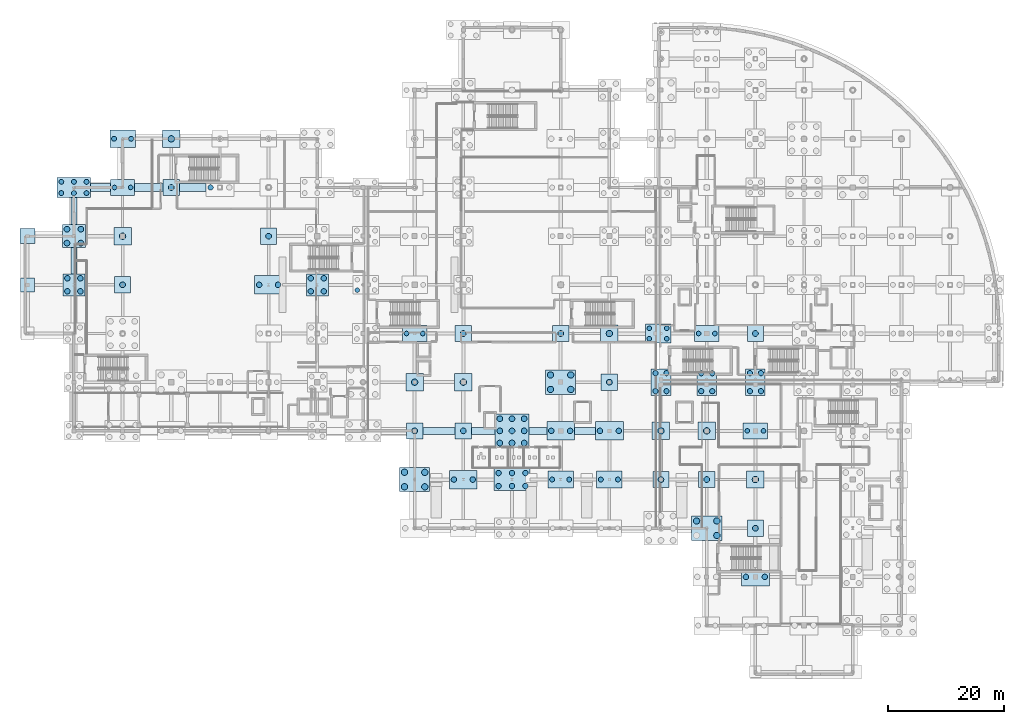
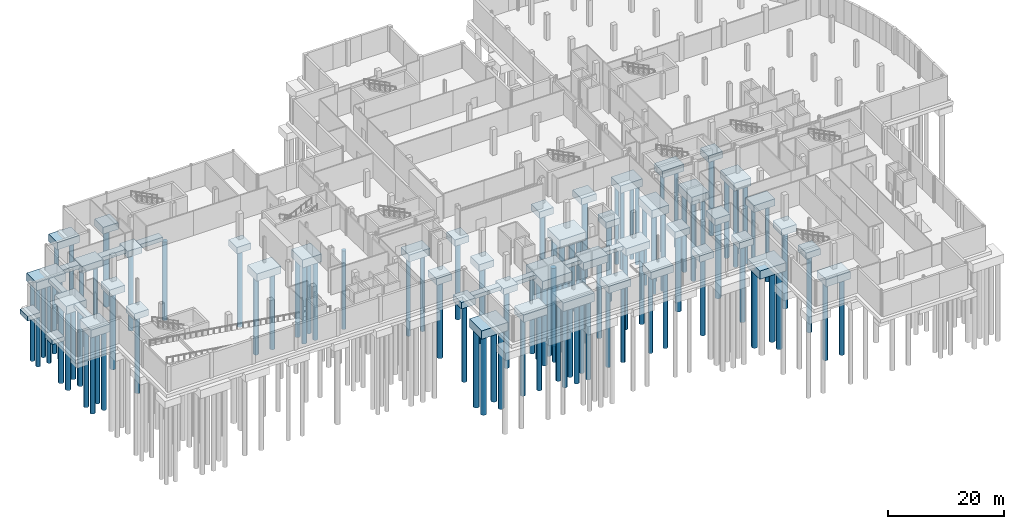
# One storey, part 2 of 49: 106 piles, 56 footings.
"""IFC4 building model written with IfcOpenShell, lengths in metres."""

from ifc_helpers import new_model, si_unit, direction, frame, origin, origin_2d, place, context, subcontext, project, spatial, rectangle, circle, extrude, material, material_profile, profile_set, type_object, element, save


model = new_model("IFC4")

# Units and contexts
model_context = context("Model", 3, precision=1e-05, world=origin(), true_north=direction((0.0, 1.0)))
body_context = subcontext(model_context, "Body", "Model", "MODEL_VIEW")
ifc_project = project(units=[si_unit("LENGTHUNIT", "METRE"), si_unit("AREAUNIT", "SQUARE_METRE"), si_unit("VOLUMEUNIT", "CUBIC_METRE"), si_unit("PLANEANGLEUNIT", "RADIAN"), si_unit("MASSUNIT", "GRAM", prefix="KILO"), si_unit("THERMODYNAMICTEMPERATUREUNIT", "KELVIN")], contexts=[model_context])

# Site, building, storey
site_placement = place(None, origin())
site = spatial("IfcSite", under=ifc_project, at=site_placement, CompositionType="ELEMENT")
building_placement = place(site_placement, origin())
building = spatial("IfcBuilding", under=site, at=building_placement, Name="Lustrewick Department Store", CompositionType="ELEMENT")
storey_placement = place(building_placement, frame((0.0, 0.0, -5.39990234375)))
storey = spatial("IfcBuildingStorey", under=building, at=storey_placement, Name="B1", CompositionType="ELEMENT", Elevation=-5.39990234375)

# Piles
ifc_material = material(Name="Concrete C40", Category="concrete")
ifc_material_profile_1 = material_profile(ifc_material, circle(Radius=0.39990234375, at=origin_2d()), Name="PILE D800")
ifc_profile_set_1 = profile_set([ifc_material_profile_1], Name="Concrete C40")
pile_type_1 = type_object("IfcPileType", Name="P01", PredefinedType="BORED", material=ifc_profile_set_1)
for number, where, z_axis, x_axis, name in (
    (1, (15.39990234375, 84.0, -2.050048828125), (0.0, 0.0, -1.0), (1.0, 0.0, 0.0), "Bored Pile P01 0050"),
    (2, (18.199951171875, 84.0, -2.050048828125), (0.0, 0.0, -1.0), (1.0, 0.0, 0.0), "Bored Pile P01 0051"),
    (3, (57.300048828125, 66.300048828125, -2.2001953125), (0.0, 0.0, -1.0), (1.0, 0.0, 0.0), "Bored Pile P01 0130"),
    (4, (65.800048828125, 58.800048828125, -2.050048828125), (0.0, 0.0, -1.0), (1.0, 0.0, 0.0), "Bored Pile P01 0150"),
    (5, (68.60009765625, 58.800048828125, -2.050048828125), (0.0, 0.0, -1.0), (1.0, 0.0, 0.0), "Bored Pile P01 0151"),
    (6, (107.699951171875, 57.89990234375, -2.2001953125), (0.0, 0.0, -1.0), (1.0, 0.0, 0.0), "Bored Pile P01 0261"),
    (7, (107.699951171875, 59.699951171875, -2.2001953125), (0.0, 0.0, -1.0), (1.0, 0.0, 0.0), "Bored Pile P01 0262"),
    (8, (110.699951171875, 57.89990234375, -2.2001953125), (0.0, 0.0, -1.0), (1.0, 0.0, 0.0), "Bored Pile P01 0263"),
    (9, (110.699951171875, 59.699951171875, -2.2001953125), (0.0, 0.0, -1.0), (1.0, 0.0, 0.0), "Bored Pile P01 0264"),
    (10, (124.60009765625, 42.0, -2.050048828125), (0.0, 0.0, -1.0), (1.0, 0.0, 0.0), "Bored Pile P01 0312"),
    (11, (127.39990234375, 42.0, -2.050048828125), (0.0, 0.0, -1.0), (1.0, 0.0, 0.0), "Bored Pile P01 0313"),
    (12, (116.199951171875, 58.800048828125, -2.050048828125), (0.0, 0.0, -1.0), (1.0, 0.0, 0.0), "Bored Pile P01 0384"),
    (13, (119.0, 58.800048828125, -2.050048828125), (0.0, 0.0, -1.0), (1.0, 0.0, 0.0), "Bored Pile P01 0385"),
):
    element("IfcPile", number, at=place(storey_placement, frame(where, z_axis=z_axis, x_axis=x_axis)), inside=storey, type_object=pile_type_1, Name=name, PredefinedType="BORED", context=body_context, shape_type="SweptSolid", body=[
        extrude(circle(Radius=0.39990234375, at=origin_2d()), origin(), (0.0, 0.0, 1.0), 16.5),
    ])
ifc_material_profile_2 = material_profile(ifc_material, circle(Radius=0.425048828125, at=origin_2d()), Name="PILE D850")
ifc_profile_set_2 = profile_set([ifc_material_profile_2], Name="Concrete C40")
pile_type_2 = type_object("IfcPileType", Name="P02", PredefinedType="BORED", material=ifc_profile_set_2)
for number, where, z_axis, x_axis, name in (
    (14, (6.22509765625, 83.02490234375, -2.300048828125), (0.0, 0.0, -1.0), (1.0, 0.0, 0.0), "Bored Pile P02 0021"),
    (15, (6.22509765625, 84.97509765625, -2.300048828125), (0.0, 0.0, -1.0), (1.0, 0.0, 0.0), "Bored Pile P02 0022"),
    (16, (8.39990234375, 83.02490234375, -2.300048828125), (0.0, 0.0, -1.0), (1.0, 0.0, 0.0), "Bored Pile P02 0023"),
    (17, (8.39990234375, 84.97509765625, -2.300048828125), (0.0, 0.0, -1.0), (1.0, 0.0, 0.0), "Bored Pile P02 0024"),
    (18, (10.574951171875, 83.02490234375, -2.300048828125), (0.0, 0.0, -1.0), (1.0, 0.0, 0.0), "Bored Pile P02 0025"),
    (19, (10.574951171875, 84.97509765625, -2.300048828125), (0.0, 0.0, -1.0), (1.0, 0.0, 0.0), "Bored Pile P02 0026"),
    (20, (15.324951171875, 92.39990234375, -2.10009765625), (0.0, 0.0, -1.0), (1.0, 0.0, 0.0), "Bored Pile P02 0052"),
    (21, (18.27490234375, 92.39990234375, -2.10009765625), (0.0, 0.0, -1.0), (1.0, 0.0, 0.0), "Bored Pile P02 0053"),
    (22, (90.925048828125, 33.60009765625, -2.10009765625), (0.0, 0.0, -1.0), (1.0, 0.0, 0.0), "Bored Pile P02 0218"),
    (23, (93.875, 33.60009765625, -2.10009765625), (0.0, 0.0, -1.0), (1.0, 0.0, 0.0), "Bored Pile P02 0219"),
    (24, (99.324951171875, 33.60009765625, -2.10009765625), (0.0, 0.0, -1.0), (1.0, 0.0, 0.0), "Bored Pile P02 0238"),
    (25, (102.27490234375, 33.60009765625, -2.10009765625), (0.0, 0.0, -1.0), (1.0, 0.0, 0.0), "Bored Pile P02 0239"),
):
    element("IfcPile", number, at=place(storey_placement, frame(where, z_axis=z_axis, x_axis=x_axis)), inside=storey, type_object=pile_type_2, Name=name, PredefinedType="BORED", context=body_context, shape_type="SweptSolid", body=[
        extrude(circle(Radius=0.425048828125, at=origin_2d()), origin(), (0.0, 0.0, 1.0), 16.5),
    ])
ifc_material_profile_3 = material_profile(ifc_material, circle(Radius=0.449951171875, at=origin_2d()), Name="PILE D900")
ifc_profile_set_3 = profile_set([ifc_material_profile_3], Name="Concrete C40")
pile_type_3 = type_object("IfcPileType", Name="P03", PredefinedType="BORED", material=ifc_profile_set_3)
for number, where, z_axis, x_axis, name in (
    (26, (108.75, 48.85009765625, -2.25), (0.0, 0.0, -1.0), (1.0, 0.0, 0.0), "Bored Pile P03 0288"),
    (27, (108.75, 51.949951171875, -2.25), (0.0, 0.0, -1.0), (1.0, 0.0, 0.0), "Bored Pile P03 0289"),
    (28, (110.64990234375, 48.85009765625, -2.25), (0.0, 0.0, -1.0), (1.0, 0.0, 0.0), "Bored Pile P03 0290"),
    (29, (110.64990234375, 51.949951171875, -2.25), (0.0, 0.0, -1.0), (1.0, 0.0, 0.0), "Bored Pile P03 0291"),
    (30, (116.64990234375, 48.85009765625, -2.25), (0.0, 0.0, -1.0), (1.0, 0.0, 0.0), "Bored Pile P03 0302"),
    (31, (116.64990234375, 51.949951171875, -2.25), (0.0, 0.0, -1.0), (1.0, 0.0, 0.0), "Bored Pile P03 0303"),
    (32, (118.550048828125, 48.85009765625, -2.25), (0.0, 0.0, -1.0), (1.0, 0.0, 0.0), "Bored Pile P03 0304"),
    (33, (118.550048828125, 51.949951171875, -2.25), (0.0, 0.0, -1.0), (1.0, 0.0, 0.0), "Bored Pile P03 0305"),
    (34, (125.050048828125, 48.85009765625, -2.25), (0.0, 0.0, -1.0), (1.0, 0.0, 0.0), "Bored Pile P03 0314"),
    (35, (125.050048828125, 51.949951171875, -2.25), (0.0, 0.0, -1.0), (1.0, 0.0, 0.0), "Bored Pile P03 0315"),
    (36, (126.949951171875, 48.85009765625, -2.25), (0.0, 0.0, -1.0), (1.0, 0.0, 0.0), "Bored Pile P03 0316"),
    (37, (126.949951171875, 51.949951171875, -2.25), (0.0, 0.0, -1.0), (1.0, 0.0, 0.0), "Bored Pile P03 0317"),
):
    element("IfcPile", number, at=place(storey_placement, frame(where, z_axis=z_axis, x_axis=x_axis)), inside=storey, type_object=pile_type_3, Name=name, PredefinedType="BORED", context=body_context, shape_type="SweptSolid", body=[
        extrude(circle(Radius=0.449951171875, at=origin_2d()), origin(), (0.0, 0.0, 1.0), 16.5),
    ])
ifc_material_profile_4 = material_profile(ifc_material, circle(Radius=0.47509765625, at=origin_2d()), Name="PILE D950")
ifc_profile_set_4 = profile_set([ifc_material_profile_4], Name="Concrete C40")
pile_type_4 = type_object("IfcPileType", Name="P04", PredefinedType="BORED", material=ifc_profile_set_4)
for number, where, z_axis, x_axis, name in (
    (38, (7.27490234375, 66.074951171875, -2.25), (0.0, 0.0, -1.0), (1.0, 0.0, 0.0), "Bored Pile P04 0013"),
    (39, (7.27490234375, 68.324951171875, -2.25), (0.0, 0.0, -1.0), (1.0, 0.0, 0.0), "Bored Pile P04 0014"),
    (40, (9.52490234375, 66.074951171875, -2.25), (0.0, 0.0, -1.0), (1.0, 0.0, 0.0), "Bored Pile P04 0015"),
    (41, (9.52490234375, 68.324951171875, -2.25), (0.0, 0.0, -1.0), (1.0, 0.0, 0.0), "Bored Pile P04 0016"),
    (42, (31.97509765625, 84.0, -2.150146484375), (0.0, 0.0, -1.0), (1.0, 0.0, 0.0), "Bored Pile P04 0066"),
    (43, (40.375, 67.199951171875, -2.150146484375), (0.0, 0.0, -1.0), (1.0, 0.0, 0.0), "Bored Pile P04 0074"),
    (44, (43.625, 67.199951171875, -2.150146484375), (0.0, 0.0, -1.0), (1.0, 0.0, 0.0), "Bored Pile P04 0075"),
    (45, (49.27490234375, 66.074951171875, -2.25), (0.0, 0.0, -1.0), (1.0, 0.0, 0.0), "Bored Pile P04 0091"),
    (46, (49.27490234375, 68.324951171875, -2.25), (0.0, 0.0, -1.0), (1.0, 0.0, 0.0), "Bored Pile P04 0092"),
    (47, (51.52490234375, 66.074951171875, -2.25), (0.0, 0.0, -1.0), (1.0, 0.0, 0.0), "Bored Pile P04 0093"),
    (48, (51.52490234375, 68.324951171875, -2.25), (0.0, 0.0, -1.0), (1.0, 0.0, 0.0), "Bored Pile P04 0094"),
    (49, (73.97509765625, 33.60009765625, -2.150146484375), (0.0, 0.0, -1.0), (1.0, 0.0, 0.0), "Bored Pile P04 0162"),
    (50, (77.22509765625, 33.60009765625, -2.150146484375), (0.0, 0.0, -1.0), (1.0, 0.0, 0.0), "Bored Pile P04 0163"),
    (51, (81.675048828125, 32.47509765625, -2.400146484375), (0.0, 0.0, -1.0), (1.0, 0.0, 0.0), "Bored Pile P04 0199"),
    (52, (81.675048828125, 34.72509765625, -2.400146484375), (0.0, 0.0, -1.0), (1.0, 0.0, 0.0), "Bored Pile P04 0200"),
    (53, (84.0, 32.47509765625, -2.400146484375), (0.0, 0.0, -1.0), (1.0, 0.0, 0.0), "Bored Pile P04 0201"),
    (54, (84.0, 34.72509765625, -2.400146484375), (0.0, 0.0, -1.0), (1.0, 0.0, 0.0), "Bored Pile P04 0202"),
    (55, (86.324951171875, 32.47509765625, -2.400146484375), (0.0, 0.0, -1.0), (1.0, 0.0, 0.0), "Bored Pile P04 0203"),
    (56, (86.324951171875, 34.72509765625, -2.400146484375), (0.0, 0.0, -1.0), (1.0, 0.0, 0.0), "Bored Pile P04 0204"),
    (57, (90.77490234375, 42.0, -2.150146484375), (0.0, 0.0, -1.0), (1.0, 0.0, 0.0), "Bored Pile P04 0220"),
    (58, (94.02490234375, 42.0, -2.150146484375), (0.0, 0.0, -1.0), (1.0, 0.0, 0.0), "Bored Pile P04 0221"),
    (59, (99.175048828125, 42.0, -2.150146484375), (0.0, 0.0, -1.0), (1.0, 0.0, 0.0), "Bored Pile P04 0240"),
    (60, (102.425048828125, 42.0, -2.150146484375), (0.0, 0.0, -1.0), (1.0, 0.0, 0.0), "Bored Pile P04 0241"),
    (61, (124.375, 16.800048828125, -2.150146484375), (0.0, 0.0, -1.0), (1.0, 0.0, 0.0), "Bored Pile P04 0308"),
    (62, (127.625, 16.800048828125, -2.150146484375), (0.0, 0.0, -1.0), (1.0, 0.0, 0.0), "Bored Pile P04 0309"),
):
    element("IfcPile", number, at=place(storey_placement, frame(where, z_axis=z_axis, x_axis=x_axis)), inside=storey, type_object=pile_type_4, Name=name, PredefinedType="BORED", context=body_context, shape_type="SweptSolid", body=[
        extrude(circle(Radius=0.47509765625, at=origin_2d()), origin(), (0.0, 0.0, 1.0), 16.5),
    ])
ifc_material_profile_5 = material_profile(ifc_material, circle(Radius=0.5, at=origin_2d()), Name="PILE D1000")
ifc_profile_set_5 = profile_set([ifc_material_profile_5], Name="Concrete C40")
pile_type_5 = type_object("IfcPileType", Name="P05", PredefinedType="BORED", material=ifc_profile_set_5)
for number, where, z_axis, x_axis, name in (
    (63, (7.199951171875, 74.39990234375, -2.300048828125), (0.0, 0.0, -1.0), (1.0, 0.0, 0.0), "Bored Pile P05 0017"),
    (64, (7.199951171875, 76.800048828125, -2.300048828125), (0.0, 0.0, -1.0), (1.0, 0.0, 0.0), "Bored Pile P05 0018"),
    (65, (9.60009765625, 74.39990234375, -2.300048828125), (0.0, 0.0, -1.0), (1.0, 0.0, 0.0), "Bored Pile P05 0019"),
    (66, (9.60009765625, 76.800048828125, -2.300048828125), (0.0, 0.0, -1.0), (1.0, 0.0, 0.0), "Bored Pile P05 0020"),
    (67, (16.800048828125, 67.199951171875, -1.9501953125), (0.0, 0.0, -1.0), (1.0, 0.0, 0.0), "Bored Pile P05 0048"),
    (68, (25.199951171875, 84.0, -1.9501953125), (0.0, 0.0, -1.0), (1.0, 0.0, 0.0), "Bored Pile P05 0060"),
    (69, (42.0, 75.60009765625, -1.9501953125), (0.0, 0.0, -1.0), (1.0, 0.0, 0.0), "Bored Pile P05 0076"),
    (70, (67.199951171875, 42.0, -1.9501953125), (0.0, 0.0, -1.0), (1.0, 0.0, 0.0), "Bored Pile P05 0148"),
    (71, (75.60009765625, 42.0, -1.9501953125), (0.0, 0.0, -1.0), (1.0, 0.0, 0.0), "Bored Pile P05 0164"),
    (72, (75.60009765625, 58.800048828125, -1.9501953125), (0.0, 0.0, -1.0), (1.0, 0.0, 0.0), "Bored Pile P05 0166"),
    (73, (81.89990234375, 39.89990234375, -2.400146484375), (0.0, 0.0, -1.0), (1.0, 0.0, 0.0), "Bored Pile P05 0205"),
    (74, (81.89990234375, 42.0, -2.400146484375), (0.0, 0.0, -1.0), (1.0, 0.0, 0.0), "Bored Pile P05 0206"),
    (75, (81.89990234375, 44.10009765625, -2.400146484375), (0.0, 0.0, -1.0), (1.0, 0.0, 0.0), "Bored Pile P05 0207"),
    (76, (84.0, 39.89990234375, -2.400146484375), (0.0, 0.0, -1.0), (1.0, 0.0, 0.0), "Bored Pile P05 0208"),
    (77, (84.0, 42.0, -2.400146484375), (0.0, 0.0, -1.0), (1.0, 0.0, 0.0), "Bored Pile P05 0209"),
    (78, (84.0, 44.10009765625, -2.400146484375), (0.0, 0.0, -1.0), (1.0, 0.0, 0.0), "Bored Pile P05 0210"),
    (79, (86.10009765625, 39.89990234375, -2.400146484375), (0.0, 0.0, -1.0), (1.0, 0.0, 0.0), "Bored Pile P05 0211"),
    (80, (86.10009765625, 42.0, -2.400146484375), (0.0, 0.0, -1.0), (1.0, 0.0, 0.0), "Bored Pile P05 0212"),
    (81, (86.10009765625, 44.10009765625, -2.400146484375), (0.0, 0.0, -1.0), (1.0, 0.0, 0.0), "Bored Pile P05 0213"),
    (82, (92.39990234375, 58.800048828125, -1.9501953125), (0.0, 0.0, -1.0), (1.0, 0.0, 0.0), "Bored Pile P05 0226"),
    (83, (100.800048828125, 50.39990234375, -1.9501953125), (0.0, 0.0, -1.0), (1.0, 0.0, 0.0), "Bored Pile P05 0242"),
    (84, (109.699951171875, 33.60009765625, -1.9501953125), (0.0, 0.0, -1.0), (1.0, 0.0, 0.0), "Bored Pile P05 0286"),
    (85, (117.60009765625, 33.60009765625, -1.9501953125), (0.0, 0.0, -1.0), (1.0, 0.0, 0.0), "Bored Pile P05 0300"),
    (86, (126.0, 25.199951171875, -1.9501953125), (0.0, 0.0, -1.0), (1.0, 0.0, 0.0), "Bored Pile P05 0310"),
    (87, (126.0, 58.800048828125, -1.9501953125), (0.0, 0.0, -1.0), (1.0, 0.0, 0.0), "Bored Pile P05 0398"),
):
    element("IfcPile", number, at=place(storey_placement, frame(where, z_axis=z_axis, x_axis=x_axis)), inside=storey, type_object=pile_type_5, Name=name, PredefinedType="BORED", context=body_context, shape_type="SweptSolid", body=[
        extrude(circle(Radius=0.5, at=origin_2d()), origin(), (0.0, 0.0, 1.0), 16.5),
    ])
ifc_material_profile_6 = material_profile(ifc_material, circle(Radius=0.550048828125, at=origin_2d()), Name="PILE D1100")
ifc_profile_set_6 = profile_set([ifc_material_profile_6], Name="Concrete C40")
pile_type_6 = type_object("IfcPileType", Name="P06", PredefinedType="BORED", material=ifc_profile_set_6)
for number, where, z_axis, x_axis, name in (
    (88, (16.800048828125, 75.60009765625, -2.0), (0.0, 0.0, -1.0), (1.0, 0.0, 0.0), "Bored Pile P06 0049"),
    (89, (25.199951171875, 92.39990234375, -2.0), (0.0, 0.0, -1.0), (1.0, 0.0, 0.0), "Bored Pile P06 0061"),
    (90, (65.449951171875, 32.35009765625, -2.35009765625), (0.0, 0.0, -1.0), (1.0, 0.0, 0.0), "Bored Pile P06 0144"),
    (91, (65.449951171875, 34.85009765625, -2.35009765625), (0.0, 0.0, -1.0), (1.0, 0.0, 0.0), "Bored Pile P06 0145"),
    (92, (68.949951171875, 32.35009765625, -2.35009765625), (0.0, 0.0, -1.0), (1.0, 0.0, 0.0), "Bored Pile P06 0146"),
    (93, (68.949951171875, 34.85009765625, -2.35009765625), (0.0, 0.0, -1.0), (1.0, 0.0, 0.0), "Bored Pile P06 0147"),
    (94, (67.199951171875, 50.39990234375, -2.0), (0.0, 0.0, -1.0), (1.0, 0.0, 0.0), "Bored Pile P06 0149"),
    (95, (75.60009765625, 50.39990234375, -2.0), (0.0, 0.0, -1.0), (1.0, 0.0, 0.0), "Bored Pile P06 0165"),
    (96, (90.64990234375, 49.14990234375, -2.35009765625), (0.0, 0.0, -1.0), (1.0, 0.0, 0.0), "Bored Pile P06 0222"),
    (97, (90.64990234375, 51.64990234375, -2.35009765625), (0.0, 0.0, -1.0), (1.0, 0.0, 0.0), "Bored Pile P06 0223"),
    (98, (94.14990234375, 49.14990234375, -2.35009765625), (0.0, 0.0, -1.0), (1.0, 0.0, 0.0), "Bored Pile P06 0224"),
    (99, (94.14990234375, 51.64990234375, -2.35009765625), (0.0, 0.0, -1.0), (1.0, 0.0, 0.0), "Bored Pile P06 0225"),
    (100, (100.800048828125, 58.800048828125, -2.0), (0.0, 0.0, -1.0), (1.0, 0.0, 0.0), "Bored Pile P06 0243"),
    (101, (109.699951171875, 42.0, -2.0), (0.0, 0.0, -1.0), (1.0, 0.0, 0.0), "Bored Pile P06 0287"),
    (102, (115.85009765625, 26.449951171875, -2.35009765625), (0.0, 0.0, -1.0), (1.0, 0.0, 0.0), "Bored Pile P06 0297"),
    (103, (119.35009765625, 23.949951171875, -2.35009765625), (0.0, 0.0, -1.0), (1.0, 0.0, 0.0), "Bored Pile P06 0298"),
    (104, (119.35009765625, 26.449951171875, -2.35009765625), (0.0, 0.0, -1.0), (1.0, 0.0, 0.0), "Bored Pile P06 0299"),
    (105, (117.60009765625, 42.0, -2.0), (0.0, 0.0, -1.0), (1.0, 0.0, 0.0), "Bored Pile P06 0301"),
    (106, (126.0, 33.60009765625, -2.0), (0.0, 0.0, -1.0), (1.0, 0.0, 0.0), "Bored Pile P06 0311"),
):
    element("IfcPile", number, at=place(storey_placement, frame(where, z_axis=z_axis, x_axis=x_axis)), inside=storey, type_object=pile_type_6, Name=name, PredefinedType="BORED", context=body_context, shape_type="SweptSolid", body=[
        extrude(circle(Radius=0.550048828125, at=origin_2d()), origin(), (0.0, 0.0, 1.0), 16.5),
    ])

# Footings
footing_type_1 = type_object("IfcFootingType", Name="PC04", PredefinedType="PILE_CAP", material=ifc_material)
for number, where, z_axis, x_axis, name in (
    (107, (8.39990234375, 67.199951171875, -2.35009765625), (0.0, 0.0, 1.0), (1.0, 0.0, 0.0), "Pile Cap PC04 004"),
    (108, (50.39990234375, 67.199951171875, -2.35009765625), (0.0, 0.0, 1.0), (1.0, 0.0, 0.0), "Pile Cap PC04 032"),
):
    element("IfcFooting", number, at=place(storey_placement, frame(where, z_axis=z_axis, x_axis=x_axis)), inside=storey, type_object=footing_type_1, Name=name, PredefinedType="PILE_CAP", context=body_context, shape_type="SweptSolid", body=[
        extrude(rectangle(XDim=3.800048828125, YDim=3.800048828125, at=origin_2d()), origin(), (0.0, 0.0, 1.0), 1.64990234375),
    ])
footing_type_2 = type_object("IfcFootingType", Name="PC05", PredefinedType="PILE_CAP", material=ifc_material)
footing_1_placement = place(storey_placement, frame((8.39990234375, 75.60009765625, -2.39990234375), z_axis=(0.0, 0.0, 1.0), x_axis=(1.0, 0.0, 0.0)))
element("IfcFooting", 109, at=footing_1_placement, inside=storey, type_object=footing_type_2, Name="Pile Cap PC05 005", PredefinedType="PILE_CAP", context=body_context, shape_type="SweptSolid", body=[
    extrude(rectangle(XDim=4.0, YDim=4.0, at=origin_2d()), origin(), (0.0, 0.0, 1.0), 1.699951171875),
])
footing_type_3 = type_object("IfcFootingType", Name="PC06", PredefinedType="PILE_CAP", material=ifc_material)
footing_2_placement = place(storey_placement, frame((109.199951171875, 58.800048828125, -2.300048828125), z_axis=(0.0, 0.0, 1.0), x_axis=(1.0, 0.0, 0.0)))
element("IfcFooting", 110, at=footing_2_placement, inside=storey, type_object=footing_type_3, Name="Pile Cap PC06 089", PredefinedType="PILE_CAP", context=body_context, shape_type="SweptSolid", body=[
    extrude(rectangle(XDim=4.39990234375, YDim=3.199951171875, at=origin_2d()), origin(), (0.0, 0.0, 1.0), 1.60009765625),
])
footing_type_4 = type_object("IfcFootingType", Name="PC08", PredefinedType="PILE_CAP", material=ifc_material)
for number, where, z_axis, x_axis, name in (
    (111, (109.699951171875, 50.39990234375, -2.35009765625), (0.0, 0.0, 1.0), (1.0, 0.0, 0.0), "Pile Cap PC08 096"),
    (112, (117.60009765625, 50.39990234375, -2.35009765625), (0.0, 0.0, 1.0), (1.0, 0.0, 0.0), "Pile Cap PC08 102"),
    (113, (126.0, 50.39990234375, -2.35009765625), (0.0, 0.0, 1.0), (1.0, 0.0, 0.0), "Pile Cap PC08 108"),
):
    element("IfcFooting", number, at=place(storey_placement, frame(where, z_axis=z_axis, x_axis=x_axis)), inside=storey, type_object=footing_type_4, Name=name, PredefinedType="PILE_CAP", context=body_context, shape_type="SweptSolid", body=[
        extrude(rectangle(XDim=3.39990234375, YDim=4.60009765625, at=origin_2d()), origin(), (0.0, 0.0, 1.0), 1.64990234375),
    ])
footing_type_5 = type_object("IfcFootingType", Name="PC09", PredefinedType="PILE_CAP", material=ifc_material)
footing_3_placement = place(storey_placement, frame((8.39990234375, 84.0, -2.39990234375), z_axis=(0.0, 0.0, 1.0), x_axis=(1.0, 0.0, 0.0)))
element("IfcFooting", 114, at=footing_3_placement, inside=storey, type_object=footing_type_5, Name="Pile Cap PC09 006", PredefinedType="PILE_CAP", context=body_context, shape_type="SweptSolid", body=[
    extrude(rectangle(XDim=5.800048828125, YDim=3.39990234375, at=origin_2d()), origin(), (0.0, 0.0, 1.0), 1.699951171875),
])
footing_type_6 = type_object("IfcFootingType", Name="PC11", PredefinedType="PILE_CAP", material=ifc_material)
footing_4_placement = place(storey_placement, frame((84.0, 33.60009765625, -2.5), z_axis=(0.0, 0.0, 1.0), x_axis=(1.0, 0.0, 0.0)))
element("IfcFooting", 115, at=footing_4_placement, inside=storey, type_object=footing_type_6, Name="Pile Cap PC11 064", PredefinedType="PILE_CAP", context=body_context, shape_type="SweptSolid", body=[
    extrude(rectangle(XDim=6.199951171875, YDim=3.800048828125, at=origin_2d()), origin(), (0.0, 0.0, 1.0), 1.800048828125),
])
footing_type_7 = type_object("IfcFootingType", Name="PC12", PredefinedType="PILE_CAP", material=ifc_material)
footing_5_placement = place(storey_placement, frame((84.0, 42.0, -2.5), z_axis=(0.0, 0.0, 1.0), x_axis=(1.0, 0.0, 0.0)))
element("IfcFooting", 116, at=footing_5_placement, inside=storey, type_object=footing_type_7, Name="Pile Cap PC12 065", PredefinedType="PILE_CAP", context=body_context, shape_type="SweptSolid", body=[
    extrude(rectangle(XDim=5.800048828125, YDim=5.800048828125, at=origin_2d()), origin(), (0.0, 0.0, 1.0), 1.800048828125),
])
footing_type_8 = type_object("IfcFootingType", Name="PC13", PredefinedType="PILE_CAP", material=ifc_material)
for number, where, z_axis, x_axis, name in (
    (117, (16.800048828125, 67.199951171875, -2.050048828125), (0.0, 0.0, 1.0), (1.0, 0.0, 0.0), "Pile Cap PC13 010"),
    (118, (25.199951171875, 84.0, -2.050048828125), (0.0, 0.0, 1.0), (1.0, 0.0, 0.0), "Pile Cap PC13 016"),
    (119, (42.0, 75.60009765625, -2.050048828125), (0.0, 0.0, 1.0), (1.0, 0.0, 0.0), "Pile Cap PC13 026"),
    (120, (67.199951171875, 42.0, -2.050048828125), (0.0, 0.0, 1.0), (1.0, 0.0, 0.0), "Pile Cap PC13 044"),
    (121, (75.60009765625, 42.0, -2.050048828125), (0.0, 0.0, 1.0), (1.0, 0.0, 0.0), "Pile Cap PC13 054"),
    (122, (75.60009765625, 58.800048828125, -2.050048828125), (0.0, 0.0, 1.0), (1.0, 0.0, 0.0), "Pile Cap PC13 056"),
    (123, (92.39990234375, 58.800048828125, -2.050048828125), (0.0, 0.0, 1.0), (1.0, 0.0, 0.0), "Pile Cap PC13 072"),
    (124, (100.800048828125, 50.39990234375, -2.050048828125), (0.0, 0.0, 1.0), (1.0, 0.0, 0.0), "Pile Cap PC13 082"),
    (125, (109.699951171875, 33.60009765625, -2.050048828125), (0.0, 0.0, 1.0), (1.0, 0.0, 0.0), "Pile Cap PC13 094"),
    (126, (117.60009765625, 33.60009765625, -2.050048828125), (0.0, 0.0, 1.0), (1.0, 0.0, 0.0), "Pile Cap PC13 100"),
    (127, (126.0, 25.199951171875, -2.050048828125), (0.0, 0.0, 1.0), (1.0, 0.0, 0.0), "Pile Cap PC13 105"),
    (128, (126.0, 58.800048828125, -2.050048828125), (0.0, 0.0, 1.0), (1.0, 0.0, 0.0), "Pile Cap PC13 138"),
):
    element("IfcFooting", number, at=place(storey_placement, frame(where, z_axis=z_axis, x_axis=x_axis)), inside=storey, type_object=footing_type_8, Name=name, PredefinedType="PILE_CAP", context=body_context, shape_type="SweptSolid", body=[
        extrude(rectangle(XDim=2.800048828125, YDim=2.800048828125, at=origin_2d()), origin(), (0.0, 0.0, 1.0), 1.35009765625),
    ])
footing_type_9 = type_object("IfcFootingType", Name="PC14", PredefinedType="PILE_CAP", material=ifc_material)
for number, where, z_axis, x_axis, name in (
    (129, (16.800048828125, 75.60009765625, -2.10009765625), (0.0, 0.0, 1.0), (1.0, 0.0, 0.0), "Pile Cap PC14 011"),
    (130, (25.199951171875, 92.39990234375, -2.10009765625), (0.0, 0.0, 1.0), (1.0, 0.0, 0.0), "Pile Cap PC14 017"),
    (131, (67.199951171875, 50.39990234375, -2.10009765625), (0.0, 0.0, 1.0), (1.0, 0.0, 0.0), "Pile Cap PC14 045"),
    (132, (75.60009765625, 50.39990234375, -2.10009765625), (0.0, 0.0, 1.0), (1.0, 0.0, 0.0), "Pile Cap PC14 055"),
    (133, (100.800048828125, 58.800048828125, -2.10009765625), (0.0, 0.0, 1.0), (1.0, 0.0, 0.0), "Pile Cap PC14 083"),
    (134, (109.699951171875, 42.0, -2.10009765625), (0.0, 0.0, 1.0), (1.0, 0.0, 0.0), "Pile Cap PC14 095"),
    (135, (117.60009765625, 42.0, -2.10009765625), (0.0, 0.0, 1.0), (1.0, 0.0, 0.0), "Pile Cap PC14 101"),
    (136, (126.0, 33.60009765625, -2.10009765625), (0.0, 0.0, 1.0), (1.0, 0.0, 0.0), "Pile Cap PC14 106"),
):
    element("IfcFooting", number, at=place(storey_placement, frame(where, z_axis=z_axis, x_axis=x_axis)), inside=storey, type_object=footing_type_9, Name=name, PredefinedType="PILE_CAP", context=body_context, shape_type="SweptSolid", body=[
        extrude(rectangle(XDim=3.0, YDim=3.0, at=origin_2d()), origin(), (0.0, 0.0, 1.0), 1.39990234375),
    ])
footing_type_10 = type_object("IfcFootingType", Name="PC15", PredefinedType="PILE_CAP", material=ifc_material)
for number, where, z_axis, x_axis, name in (
    (137, (16.800048828125, 84.0, -2.14990234375), (0.0, 0.0, 1.0), (1.0, 0.0, 0.0), "Pile Cap PC15 012"),
    (138, (67.199951171875, 58.800048828125, -2.14990234375), (0.0, 0.0, 1.0), (1.0, 0.0, 0.0), "Pile Cap PC15 046"),
    (139, (126.0, 42.0, -2.14990234375), (0.0, 0.0, 1.0), (1.0, 0.0, 0.0), "Pile Cap PC15 107"),
    (140, (117.60009765625, 58.800048828125, -2.14990234375), (0.0, 0.0, 1.0), (1.0, 0.0, 0.0), "Pile Cap PC15 130"),
):
    element("IfcFooting", number, at=place(storey_placement, frame(where, z_axis=z_axis, x_axis=x_axis)), inside=storey, type_object=footing_type_10, Name=name, PredefinedType="PILE_CAP", context=body_context, shape_type="SweptSolid", body=[
        extrude(rectangle(XDim=4.199951171875, YDim=2.800048828125, at=origin_2d()), origin(), (0.0, 0.0, 1.0), 1.449951171875),
    ])
footing_type_11 = type_object("IfcFootingType", Name="PC16", PredefinedType="PILE_CAP", material=ifc_material)
for number, where, z_axis, x_axis, name in (
    (141, (16.800048828125, 92.39990234375, -2.2001953125), (0.0, 0.0, 1.0), (1.0, 0.0, 0.0), "Pile Cap PC16 013"),
    (142, (92.39990234375, 33.60009765625, -2.2001953125), (0.0, 0.0, 1.0), (1.0, 0.0, 0.0), "Pile Cap PC16 069"),
    (143, (100.800048828125, 33.60009765625, -2.2001953125), (0.0, 0.0, 1.0), (1.0, 0.0, 0.0), "Pile Cap PC16 080"),
):
    element("IfcFooting", number, at=place(storey_placement, frame(where, z_axis=z_axis, x_axis=x_axis)), inside=storey, type_object=footing_type_11, Name=name, PredefinedType="PILE_CAP", context=body_context, shape_type="SweptSolid", body=[
        extrude(rectangle(XDim=4.39990234375, YDim=3.0, at=origin_2d()), origin(), (0.0, 0.0, 1.0), 1.5),
    ])
footing_type_12 = type_object("IfcFootingType", Name="PC17", PredefinedType="PILE_CAP", material=ifc_material)
for number, where, z_axis, x_axis, name in (
    (144, (42.0, 67.199951171875, -2.25), (0.0, 0.0, 1.0), (1.0, 0.0, 0.0), "Pile Cap PC17 025"),
    (145, (75.60009765625, 33.60009765625, -2.25), (0.0, 0.0, 1.0), (1.0, 0.0, 0.0), "Pile Cap PC17 053"),
    (146, (92.39990234375, 42.0, -2.25), (0.0, 0.0, 1.0), (1.0, 0.0, 0.0), "Pile Cap PC17 070"),
    (147, (100.800048828125, 42.0, -2.25), (0.0, 0.0, 1.0), (1.0, 0.0, 0.0), "Pile Cap PC17 081"),
    (148, (126.0, 16.800048828125, -2.25), (0.0, 0.0, 1.0), (1.0, 0.0, 0.0), "Pile Cap PC17 104"),
):
    element("IfcFooting", number, at=place(storey_placement, frame(where, z_axis=z_axis, x_axis=x_axis)), inside=storey, type_object=footing_type_12, Name=name, PredefinedType="PILE_CAP", context=body_context, shape_type="SweptSolid", body=[
        extrude(rectangle(XDim=4.800048828125, YDim=3.199951171875, at=origin_2d()), origin(), (0.0, 0.0, 1.0), 1.550048828125),
    ])
footing_type_13 = type_object("IfcFootingType", Name="PC18", PredefinedType="PILE_CAP", material=ifc_material)
for number, where, z_axis, x_axis, name in (
    (149, (67.199951171875, 33.60009765625, -2.4501953125), (0.0, 0.0, 1.0), (1.0, 0.0, 0.0), "Pile Cap PC18 043"),
    (150, (92.39990234375, 50.39990234375, -2.4501953125), (0.0, 0.0, 1.0), (1.0, 0.0, 0.0), "Pile Cap PC18 071"),
    (151, (117.60009765625, 25.199951171875, -2.4501953125), (0.0, 0.0, 1.0), (1.0, 0.0, 0.0), "Pile Cap PC18 099"),
):
    element("IfcFooting", number, at=place(storey_placement, frame(where, z_axis=z_axis, x_axis=x_axis)), inside=storey, type_object=footing_type_13, Name=name, PredefinedType="PILE_CAP", context=body_context, shape_type="SweptSolid", body=[
        extrude(rectangle(XDim=5.199951171875, YDim=4.199951171875, at=origin_2d()), origin(), (0.0, 0.0, 1.0), 1.75),
    ])
footing_type_14 = type_object("IfcFootingType", Name="PF02", PredefinedType="PAD_FOOTING", material=ifc_material)
footing_6_placement = place(storey_placement, frame((0.39990234375, 67.199951171875, -1.64990234375), z_axis=(0.0, 0.0, 1.0), x_axis=(1.0, 0.0, 0.0)))
element("IfcFooting", 152, at=footing_6_placement, inside=storey, type_object=footing_type_14, Name="Pad Footing PF02 002", PredefinedType="PAD_FOOTING", context=body_context, shape_type="SweptSolid", body=[
    extrude(rectangle(XDim=2.39990234375, YDim=2.39990234375, at=origin_2d()), origin(), (0.0, 0.0, 1.0), 0.949951171875),
])
footing_type_15 = type_object("IfcFootingType", Name="PF03", PredefinedType="PAD_FOOTING", material=ifc_material)
footing_7_placement = place(storey_placement, frame((0.39990234375, 75.60009765625, -1.7001953125), z_axis=(0.0, 0.0, 1.0), x_axis=(1.0, 0.0, 0.0)))
element("IfcFooting", 153, at=footing_7_placement, inside=storey, type_object=footing_type_15, Name="Pad Footing PF03 003", PredefinedType="PAD_FOOTING", context=body_context, shape_type="SweptSolid", body=[
    extrude(rectangle(XDim=2.60009765625, YDim=2.60009765625, at=origin_2d()), origin(), (0.0, 0.0, 1.0), 1.0),
])
footing_type_16 = type_object("IfcFootingType", Name="SF01", PredefinedType="STRIP_FOOTING", material=ifc_material)
footing_8_placement = place(storey_placement, frame((71.39990234375, 42.0, -1.5), z_axis=(0.0, 0.0, 1.0), x_axis=(1.0, 0.0, 0.0)))
element("IfcFooting", 154, at=footing_8_placement, inside=storey, type_object=footing_type_16, Name="Strip Footing SF01 008", PredefinedType="STRIP_FOOTING", context=body_context, shape_type="SweptSolid", body=[
    extrude(rectangle(XDim=5.60009765625, YDim=1.199951171875, at=origin_2d()), origin(), (0.0, 0.0, 1.0), 0.800048828125),
])
footing_9_placement = place(storey_placement, frame((79.050048828125, 42.0, -1.5), z_axis=(0.0, 0.0, 1.0), x_axis=(1.0, 0.0, 0.0)))
element("IfcFooting", 155, at=footing_9_placement, inside=storey, type_object=footing_type_16, Name="Strip Footing SF01 009", PredefinedType="STRIP_FOOTING", context=body_context, shape_type="SweptSolid", body=[
    extrude(rectangle(XDim=4.10009765625, YDim=1.199951171875, at=origin_2d()), origin(), (0.0, 0.0, 1.0), 0.800048828125),
])
footing_10_placement = place(storey_placement, frame((88.449951171875, 42.0, -1.5), z_axis=(0.0, 0.0, 1.0), x_axis=(1.0, 0.0, 0.0)))
element("IfcFooting", 156, at=footing_10_placement, inside=storey, type_object=footing_type_16, Name="Strip Footing SF01 010", PredefinedType="STRIP_FOOTING", context=body_context, shape_type="SweptSolid", body=[
    extrude(rectangle(XDim=3.10009765625, YDim=1.199951171875, at=origin_2d()), origin(), (0.0, 0.0, 1.0), 0.800048828125),
])
footing_11_placement = place(storey_placement, frame((96.60009765625, 42.0, -1.5), z_axis=(0.0, 0.0, 1.0), x_axis=(1.0, 0.0, 0.0)))
element("IfcFooting", 157, at=footing_11_placement, inside=storey, type_object=footing_type_16, Name="Strip Footing SF01 011", PredefinedType="STRIP_FOOTING", context=body_context, shape_type="SweptSolid", body=[
    extrude(rectangle(XDim=3.60009765625, YDim=1.199951171875, at=origin_2d()), origin(), (0.0, 0.0, 1.0), 0.800048828125),
])
footing_type_17 = type_object("IfcFootingType", Name="SF02", PredefinedType="STRIP_FOOTING", material=ifc_material)
footing_12_placement = place(storey_placement, frame((13.0, 84.0, -1.550048828125), z_axis=(0.0, 0.0, 1.0), x_axis=(1.0, 0.0, 0.0)))
element("IfcFooting", 158, at=footing_12_placement, inside=storey, type_object=footing_type_17, Name="Strip Footing SF02 012", PredefinedType="STRIP_FOOTING", context=body_context, shape_type="SweptSolid", body=[
    extrude(rectangle(XDim=3.39990234375, YDim=1.39990234375, at=origin_2d()), origin(), (0.0, 0.0, 1.0), 0.85009765625),
])
footing_13_placement = place(storey_placement, frame((21.35009765625, 84.0, -1.550048828125), z_axis=(0.0, 0.0, 1.0), x_axis=(1.0, 0.0, 0.0)))
element("IfcFooting", 159, at=footing_13_placement, inside=storey, type_object=footing_type_17, Name="Strip Footing SF02 013", PredefinedType="STRIP_FOOTING", context=body_context, shape_type="SweptSolid", body=[
    extrude(rectangle(XDim=4.89990234375, YDim=1.39990234375, at=origin_2d()), origin(), (0.0, 0.0, 1.0), 0.85009765625),
])
footing_14_placement = place(storey_placement, frame((28.89990234375, 84.0, -1.550048828125), z_axis=(0.0, 0.0, 1.0), x_axis=(1.0, 0.0, 0.0)))
element("IfcFooting", 160, at=footing_14_placement, inside=storey, type_object=footing_type_17, Name="Strip Footing SF02 014", PredefinedType="STRIP_FOOTING", context=body_context, shape_type="SweptSolid", body=[
    extrude(rectangle(XDim=4.60009765625, YDim=1.39990234375, at=origin_2d()), origin(), (0.0, 0.0, 1.0), 0.85009765625),
])
footing_type_18 = type_object("IfcFootingType", Name="SF04", PredefinedType="STRIP_FOOTING", material=ifc_material)
footing_15_placement = place(storey_placement, frame((8.39990234375, 71.35009765625, -1.4501953125), z_axis=(0.0, 0.0, 1.0), x_axis=(0.0, 1.0, 0.0)))
element("IfcFooting", 161, at=footing_15_placement, inside=storey, type_object=footing_type_18, Name="Strip Footing SF04 029", PredefinedType="STRIP_FOOTING", context=body_context, shape_type="SweptSolid", body=[
    extrude(rectangle(XDim=4.5, YDim=1.0, at=origin_2d()), origin(), (0.0, 0.0, 1.0), 0.75),
])
footing_16_placement = place(storey_placement, frame((8.39990234375, 79.949951171875, -1.4501953125), z_axis=(0.0, 0.0, 1.0), x_axis=(0.0, 1.0, 0.0)))
element("IfcFooting", 162, at=footing_16_placement, inside=storey, type_object=footing_type_18, Name="Strip Footing SF04 030", PredefinedType="STRIP_FOOTING", context=body_context, shape_type="SweptSolid", body=[
    extrude(rectangle(XDim=4.699951171875, YDim=1.0, at=origin_2d()), origin(), (0.0, 0.0, 1.0), 0.75),
])

save(model, "model.ifc")
